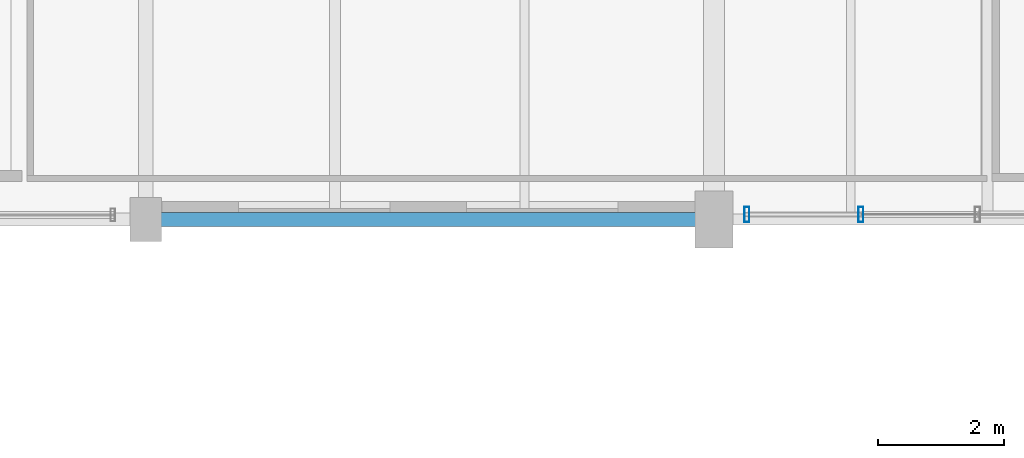
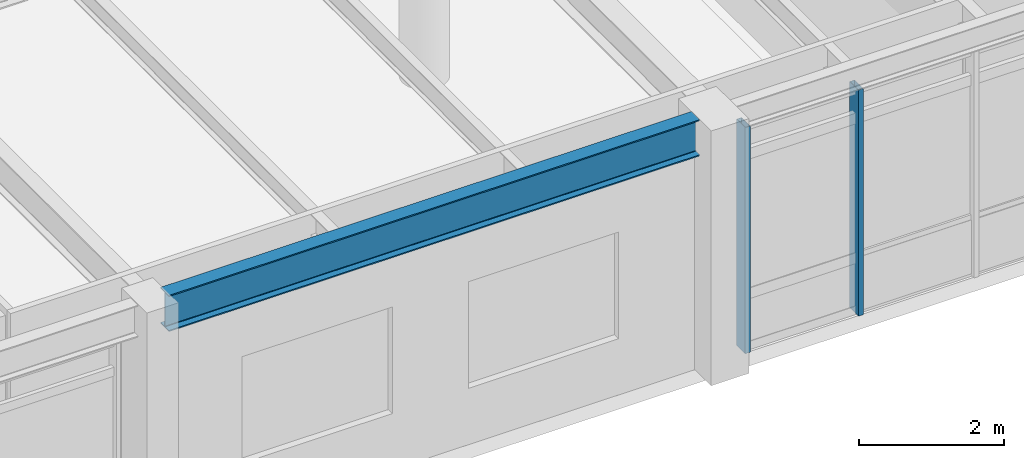
# One storey, part 85 of 168: 2 members, 1 beam, 1 element without a shape of its own.
"""IFC4 building model written with IfcOpenShell, lengths in metres."""

from ifc_helpers import new_model, si_unit, direction, frame, origin, origin_2d, place, context, subcontext, project, spatial, hollow_rectangle, i_section, extrude, material, material_profile, profile_set, type_object, element, aggregate, save


model = new_model("IFC4")

# Units and contexts
model_context = context("Model", 3, precision=1e-05, world=origin(), true_north=direction((0.0, 1.0)))
body_context = subcontext(model_context, "Body", "Model", "MODEL_VIEW")
ifc_project = project(units=[si_unit("LENGTHUNIT", "METRE"), si_unit("AREAUNIT", "SQUARE_METRE"), si_unit("VOLUMEUNIT", "CUBIC_METRE"), si_unit("PLANEANGLEUNIT", "RADIAN"), si_unit("MASSUNIT", "GRAM", prefix="KILO"), si_unit("THERMODYNAMICTEMPERATUREUNIT", "KELVIN"), si_unit("POWERUNIT", "WATT")], contexts=[model_context])

# Site, building, storey
site_placement = place(None, origin())
site = spatial("IfcSite", under=ifc_project, at=site_placement, CompositionType="ELEMENT")
building_placement = place(site_placement, origin())
building = spatial("IfcBuilding", under=site, at=building_placement, Name="Tepalcoro Natatorium and Aquatics Centre", CompositionType="ELEMENT")
storey_placement = place(building_placement, frame((0.0, 0.0, 10.199951171875)))
storey = spatial("IfcBuildingStorey", under=building, at=storey_placement, Name="L02", CompositionType="ELEMENT", Elevation=10.199951171875)

# Curtain wall, members
ifc_material_1 = material(Name="Bronze-Anodised Extruded Aluminium Alloy EN AW-6063 T6", Category="aluminium")
curtain_wall_type = type_object("IfcCurtainWallType", Name="CW_V5_LOWER", PredefinedType="USERDEFINED", material=ifc_material_1)
curtain_wall_placement = place(storey_placement, origin())
curtain_wall = element("IfcCurtainWall", 1, at=curtain_wall_placement, inside=storey, type_object=curtain_wall_type, Name="V5 L02 S Unitised Curtain Wall Bay 4", ObjectType="UNITISED STOREFRONT", PredefinedType="USERDEFINED")
ifc_material_profile_1 = material_profile(ifc_material_1, hollow_rectangle(XDim=0.080078125, YDim=0.239990234375, WallThickness=0.0048828125, at=origin_2d()), Name="AL80X240X5")
ifc_profile_set_1 = profile_set([ifc_material_profile_1], Name="Bronze-Anodised Extruded Aluminium Alloy EN AW-6063 T6")
member_type = type_object("IfcMemberType", Name="CW_MUL_80x240", PredefinedType="MULLION", material=ifc_profile_set_1)
member_1_placement = place(storey_placement, frame((125.52001953125, 86.080078125, 0.02001953125), z_axis=(0.0, 0.0, 1.0), x_axis=(1.0, 0.0, 0.0)))
member_1 = element("IfcMember", 2, at=member_1_placement, type_object=member_type, Name="CW_V5_LOWER Curtain Wall Mullion", PredefinedType="MULLION", context=body_context, shape_type="SweptSolid", body=[
    extrude(hollow_rectangle(XDim=0.080078125, YDim=0.239990234375, WallThickness=0.0048828125, at=origin_2d()), origin(), (0.0, 0.0, 1.0), 3.817138671875),
])
member_2_placement = place(storey_placement, frame((127.32666015625, 86.080078125, 0.02001953125), z_axis=(0.0, 0.0, 1.0), x_axis=(1.0, 0.0, 0.0)))
member_2 = element("IfcMember", 3, at=member_2_placement, type_object=member_type, Name="CW_V5_LOWER Curtain Wall Mullion", PredefinedType="MULLION", context=body_context, shape_type="SweptSolid", body=[
    extrude(hollow_rectangle(XDim=0.080078125, YDim=0.239990234375, WallThickness=0.0048828125, at=origin_2d()), origin(), (0.0, 0.0, 1.0), 3.817138671875),
])
aggregate(curtain_wall, [member_1, member_2])

# Beam
ifc_material_2 = material(Name="Steel ASTM A992 Grade 50 (Fy 345 MPa)", Category="steel")
ifc_material_profile_2 = material_profile(ifc_material_2, i_section(OverallWidth=0.22900390625, OverallDepth=0.612060546875, WebThickness=0.011962890625, FlangeThickness=0.02001953125, FilletRadius=0.013916015625, at=origin_2d()), Name="W24X84")
ifc_profile_set_2 = profile_set([ifc_material_profile_2], Name="Steel ASTM A992 Grade 50 (Fy 345 MPa)")
beam_type = type_object("IfcBeamType", Name="SP_W24x84", PredefinedType="SPANDREL", material=ifc_profile_set_2)
beam_placement = place(storey_placement, frame((116.235107421875, 86.0, 3.97900390625), z_axis=(1.0, 0.0, 0.0), x_axis=(0.0, 1.0, 0.0)))
element("IfcBeam", 4, at=beam_placement, inside=storey, type_object=beam_type, Name="V5 L02 Grid Girder X", PredefinedType="SPANDREL", context=body_context, shape_type="SweptSolid", body=[
    extrude(i_section(OverallWidth=0.22900390625, OverallDepth=0.612060546875, WebThickness=0.011962890625, FlangeThickness=0.02001953125, FilletRadius=0.013916015625, at=origin_2d()), origin(), (0.0, 0.0, 1.0), 8.47998046875),
])

save(model, "model.ifc")
